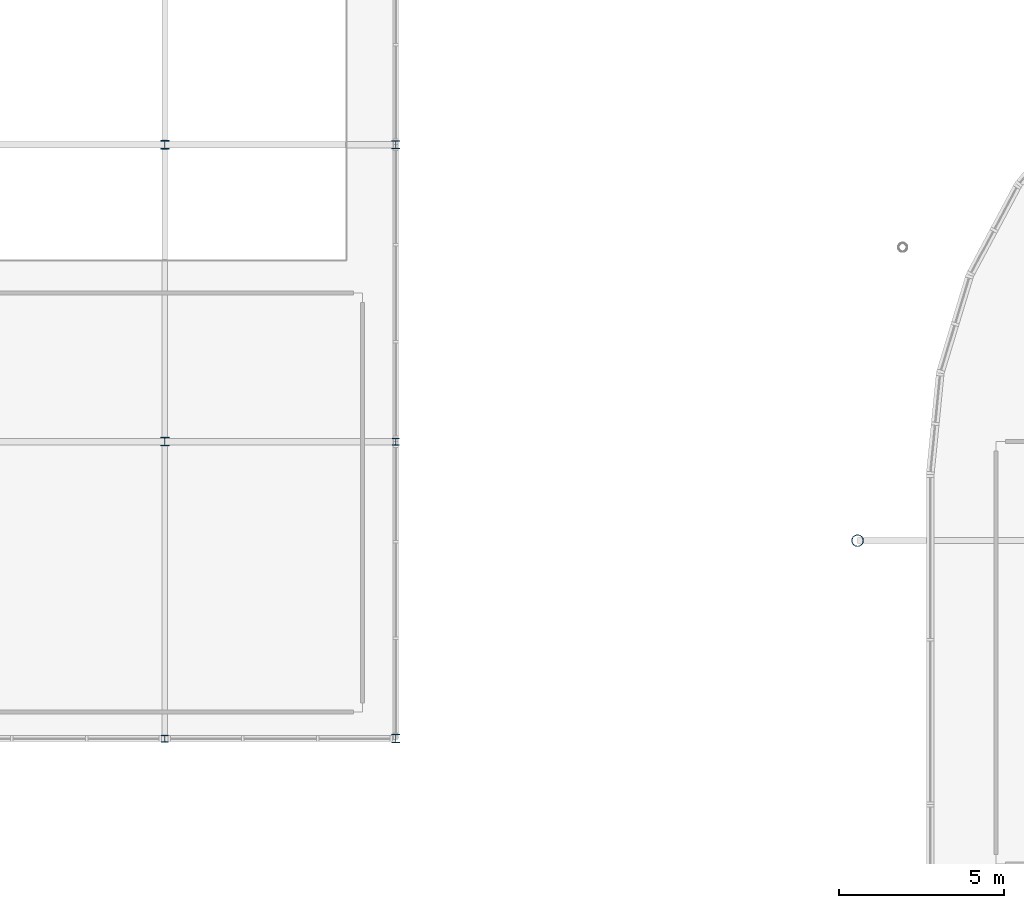
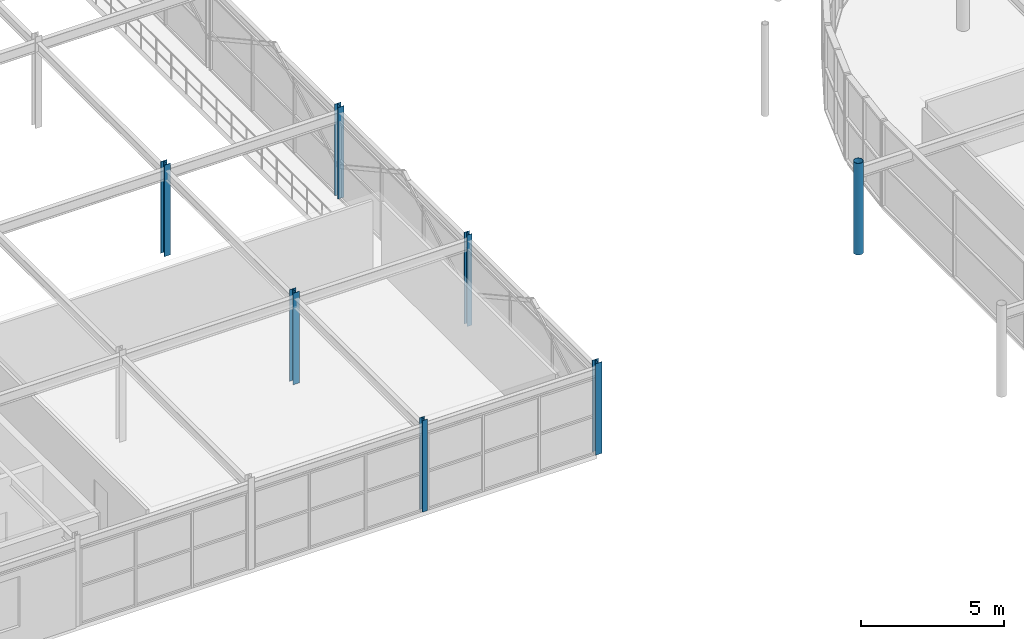
# One storey, part 5 of 98: 7 columns.
"""IFC4 building model written with IfcOpenShell, lengths in metres."""

from ifc_helpers import new_model, si_unit, derived_unit, direction, frame, origin, origin_2d_with_axis, place, context, subcontext, project, spatial, hollow_circle, i_section, extrude, material, material_profile, profile_set, type_object, element, save


model = new_model("IFC4")

# Units and contexts
model_context = context("Model", 3, precision=1e-05, world=origin(), true_north=direction((0.0, 1.0)))
body_context = subcontext(model_context, "Body", "Model", "MODEL_VIEW")
ifc_project = project(units=[si_unit("LENGTHUNIT", "METRE"), si_unit("AREAUNIT", "SQUARE_METRE"), si_unit("VOLUMEUNIT", "CUBIC_METRE"), si_unit("PLANEANGLEUNIT", "RADIAN"), si_unit("MASSUNIT", "GRAM", prefix="KILO"), derived_unit("THERMALTRANSMITTANCEUNIT", [(si_unit("POWERUNIT", "WATT"), 1), (si_unit("LENGTHUNIT", "METRE"), -2), (si_unit("THERMODYNAMICTEMPERATUREUNIT", "KELVIN"), -1)])], contexts=[model_context])

# Site, building, storey
site_placement = place(None, origin())
site = spatial("IfcSite", under=ifc_project, at=site_placement, CompositionType="ELEMENT")
building_placement = place(site_placement, origin())
building = spatial("IfcBuilding", under=site, at=building_placement, Name="Cinnabar Yard Market Hall", CompositionType="ELEMENT")
storey_placement = place(building_placement, frame((0.0, 0.0, 4.5)))
storey = spatial("IfcBuildingStorey", under=building, at=storey_placement, Name="L01", CompositionType="ELEMENT", Elevation=4.5)

# Columns
ifc_material_1 = material(Name="Spotted-gum glulam-clad steel Grade 350 (350 MPa)", Category="steel")
ifc_material_profile_1 = material_profile(ifc_material_1, hollow_circle(Radius=0.177734375, WallThickness=0.0126953125, at=origin_2d_with_axis()), Name="355.6x12.7CHS")
ifc_profile_set_1 = profile_set([ifc_material_profile_1], Name="Spotted-gum glulam-clad steel Grade 350 (350 MPa)")
column_type_1 = type_object("IfcColumnType", Name="COL-C02E", PredefinedType="COLUMN", material=ifc_profile_set_1)
column_placement = place(storey_placement, frame((66.0, 54.0, 0.0), z_axis=(0.0, 0.0, 1.0), x_axis=(1.0, 0.0, 0.0)))
element("IfcColumn", 1, at=column_placement, inside=storey, type_object=column_type_1, Name="Tree Column V1W-03 L01", PredefinedType="COLUMN", context=body_context, shape_type="SweptSolid", body=[
    extrude(hollow_circle(Radius=0.177734375, WallThickness=0.0126953125, at=origin_2d_with_axis()), origin(), (0.0, 0.0, 1.0), 3.89990234375),
])
ifc_material_2 = material(Name="Steel Grade 300 (300 MPa)", Category="steel")
ifc_material_profile_2 = material_profile(ifc_material_2, i_section(OverallWidth=0.256103515625, OverallDepth=0.260009765625, WebThickness=0.010498046875, FlangeThickness=0.017333984375, FilletRadius=0.013916015625, at=origin_2d_with_axis()), Name="250UC89.5")
ifc_profile_set_2 = profile_set([ifc_material_profile_2], Name="Steel Grade 300 (300 MPa)")
column_type_2 = type_object("IfcColumnType", Name="COL-C10", PredefinedType="COLUMN", material=ifc_profile_set_2)
for number, where, z_axis, x_axis, name in (
    (2, (45.0, 57.0, 0.0), (0.0, 0.0, 1.0), (1.0, 0.0, 0.0), "Pavilion Column V2-06-02 L01"),
    (3, (45.0, 66.0, 0.0), (0.0, 0.0, 1.0), (1.0, 0.0, 0.0), "Pavilion Column V2-06-03 L01"),
):
    element("IfcColumn", number, at=place(storey_placement, frame(where, z_axis=z_axis, x_axis=x_axis)), inside=storey, type_object=column_type_2, Name=name, PredefinedType="COLUMN", context=body_context, shape_type="SweptSolid", body=[
        extrude(i_section(OverallWidth=0.256103515625, OverallDepth=0.260009765625, WebThickness=0.010498046875, FlangeThickness=0.017333984375, FilletRadius=0.013916015625, at=origin_2d_with_axis()), origin(), (0.0, 0.0, 1.0), 3.89990234375),
    ])
ifc_material_profile_3 = material_profile(ifc_material_2, i_section(OverallWidth=0.25390625, OverallDepth=0.25390625, WebThickness=0.008544921875, FlangeThickness=0.01416015625, FilletRadius=0.013916015625, at=origin_2d_with_axis()), Name="250UC72.9")
ifc_profile_set_3 = profile_set([ifc_material_profile_3], Name="Steel Grade 300 (300 MPa)")
column_type_3 = type_object("IfcColumnType", Name="COL-C11E", PredefinedType="COLUMN", material=ifc_profile_set_3)
for number, where, z_axis, x_axis, name in (
    (4, (52.0, 48.0, 0.0), (0.0, 0.0, 1.0), (1.0, 0.0, 0.0), "Pavilion Column V2-07-01 L01"),
    (5, (52.0, 66.0, 0.0), (0.0, 0.0, 1.0), (1.0, 0.0, 0.0), "Pavilion Column V2-07-03 L01"),
):
    element("IfcColumn", number, at=place(storey_placement, frame(where, z_axis=z_axis, x_axis=x_axis)), inside=storey, type_object=column_type_3, Name=name, PredefinedType="COLUMN", context=body_context, shape_type="SweptSolid", body=[
        extrude(i_section(OverallWidth=0.25390625, OverallDepth=0.25390625, WebThickness=0.008544921875, FlangeThickness=0.01416015625, FilletRadius=0.013916015625, at=origin_2d_with_axis()), origin(), (0.0, 0.0, 1.0), 3.89990234375),
    ])
ifc_material_profile_4 = material_profile(ifc_material_2, i_section(OverallWidth=0.205078125, OverallDepth=0.209716796875, WebThickness=0.00927734375, FlangeThickness=0.01416015625, FilletRadius=0.011474609375, at=origin_2d_with_axis()), Name="200UC59.5")
ifc_profile_set_4 = profile_set([ifc_material_profile_4], Name="Steel Grade 300 (300 MPa)")
column_type_4 = type_object("IfcColumnType", Name="COL-C12E", PredefinedType="COLUMN", material=ifc_profile_set_4)
for number, where, z_axis, x_axis, name in (
    (6, (45.0, 48.0, 0.0), (0.0, 0.0, 1.0), (1.0, 0.0, 0.0), "Pavilion Column V2-06-01 L01"),
    (7, (52.0, 57.0, 0.0), (0.0, 0.0, 1.0), (1.0, 0.0, 0.0), "Pavilion Column V2-07-02 L01"),
):
    element("IfcColumn", number, at=place(storey_placement, frame(where, z_axis=z_axis, x_axis=x_axis)), inside=storey, type_object=column_type_4, Name=name, PredefinedType="COLUMN", context=body_context, shape_type="SweptSolid", body=[
        extrude(i_section(OverallWidth=0.205078125, OverallDepth=0.209716796875, WebThickness=0.00927734375, FlangeThickness=0.01416015625, FilletRadius=0.011474609375, at=origin_2d_with_axis()), origin(), (0.0, 0.0, 1.0), 3.89990234375),
    ])

save(model, "model.ifc")
